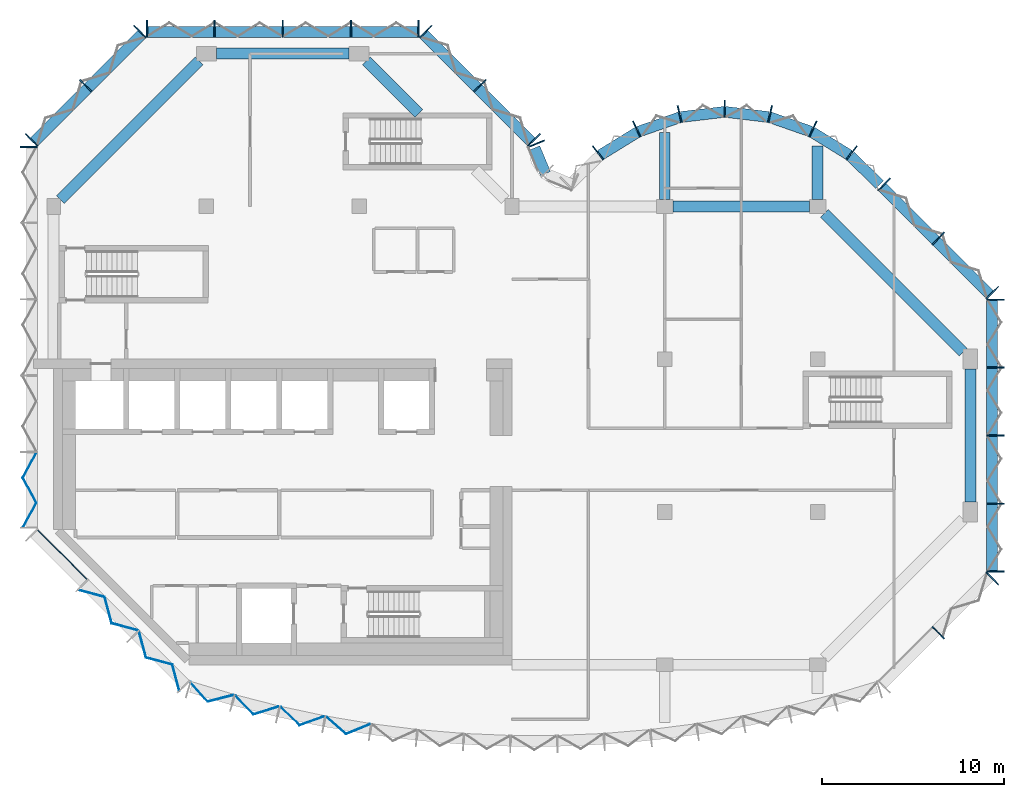
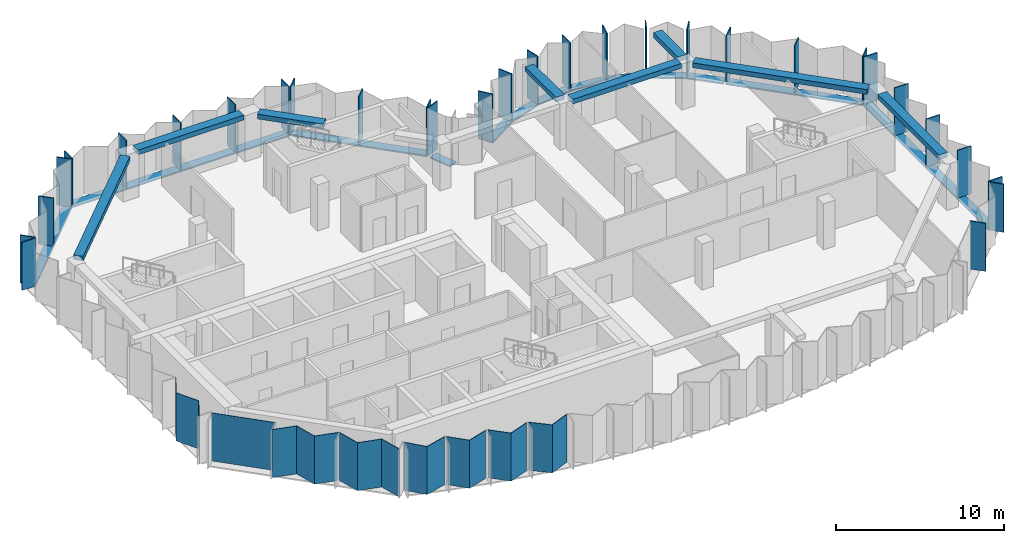
# One storey, part 2 of 9: 43 members, 8 beams, 8 plates, 11 elements without a shape of their own.
"""IFC4 building model written with IfcOpenShell, lengths in metres."""

from ifc_helpers import new_model, si_unit, direction, frame, origin, origin_2d, place, context, subcontext, project, spatial, polyline, rectangle, outline, extrude, material, layer, layer_set, material_profile, profile_set, type_object, element, aggregate, save


model = new_model("IFC4")

# Units and contexts
model_context = context("Model", 3, precision=1e-05, world=origin(), true_north=direction((0.0, 1.0)))
body_context = subcontext(model_context, "Body", "Model", "MODEL_VIEW")
ifc_project = project(units=[si_unit("LENGTHUNIT", "METRE"), si_unit("AREAUNIT", "SQUARE_METRE"), si_unit("VOLUMEUNIT", "CUBIC_METRE"), si_unit("PLANEANGLEUNIT", "RADIAN"), si_unit("MASSUNIT", "GRAM", prefix="KILO")], contexts=[model_context])

# Site, building, storey
site_placement = place(None, origin())
site = spatial("IfcSite", under=ifc_project, at=site_placement, CompositionType="ELEMENT")
building_placement = place(site_placement, origin())
building = spatial("IfcBuilding", under=site, at=building_placement, Name="Brevane Broadcast Tower", CompositionType="ELEMENT")
storey_placement = place(building_placement, frame((0.0, 0.0, 248.10009765625)))
storey = spatial("IfcBuildingStorey", under=building, at=storey_placement, Name="L63", CompositionType="ELEMENT", Elevation=248.10009765625)

# Curtain wall, members
ifc_material_1 = material(Name="Aluminium 6063-T6 bronze anodised", Category="aluminium")
curtain_wall_type = type_object("IfcCurtainWallType", Name="CW-1 curtain wall", PredefinedType="NOTDEFINED", material=ifc_material_1)
curtain_wall_1_placement = place(storey_placement, origin())
curtain_wall_1 = element("IfcCurtainWall", 1, at=curtain_wall_1_placement, inside=storey, type_object=curtain_wall_type, Name="CW-1 typical tilted unit L63 south-east chamfer", PredefinedType="NOTDEFINED")
ifc_material_profile_1 = material_profile(ifc_material_1, rectangle(XDim=0.949951171875, YDim=0.070068359375, at=origin_2d()), Name="RECT 70x950")
ifc_profile_set_1 = profile_set([ifc_material_profile_1], Name="Aluminium 6063-T6 bronze anodised")
member_type_1 = type_object("IfcMemberType", Name="CW-1 mullion 70x950", PredefinedType="MULLION", material=ifc_profile_set_1)
member_1_placement = place(storey_placement, frame((48.635986328125, 1.76416015625, -0.150146484375), z_axis=(0.0, 0.0, 1.0), x_axis=(-0.707106781187, 0.707106781187, 0.0)))
member_1 = element("IfcMember", 2, at=member_1_placement, type_object=member_type_1, Name="CW-1 mullion", PredefinedType="MULLION", context=body_context, shape_type="SweptSolid", body=[
    extrude(rectangle(XDim=0.949951171875, YDim=0.070068359375, at=origin_2d()), origin(), (0.0, 0.0, 1.0), 3.5),
])
member_2_placement = place(storey_placement, frame((51.611083984375, 4.7392578125, -0.150146484375), z_axis=(0.0, 0.0, 1.0), x_axis=(-0.707106781187, 0.707106781187, 0.0)))
member_2 = element("IfcMember", 3, at=member_2_placement, type_object=member_type_1, Name="CW-1 mullion", PredefinedType="MULLION", context=body_context, shape_type="SweptSolid", body=[
    extrude(rectangle(XDim=0.949951171875, YDim=0.070068359375, at=origin_2d()), origin(), (0.0, 0.0, 1.0), 3.5),
])
aggregate(curtain_wall_1, [member_1, member_2])

curtain_wall_2_placement = place(storey_placement, origin())
curtain_wall_2 = element("IfcCurtainWall", 4, at=curtain_wall_2_placement, inside=storey, type_object=curtain_wall_type, Name="CW-1 typical tilted unit L63 east end", PredefinedType="NOTDEFINED")
member_3_placement = place(storey_placement, frame((51.77490234375, 5.135009765625, -0.150146484375), z_axis=(0.0, 0.0, 1.0), x_axis=(-1.0, 0.0, 0.0)))
member_3 = element("IfcMember", 5, at=member_3_placement, type_object=member_type_1, Name="CW-1 mullion", PredefinedType="MULLION", context=body_context, shape_type="SweptSolid", body=[
    extrude(rectangle(XDim=0.949951171875, YDim=0.070068359375, at=origin_2d()), origin(), (0.0, 0.0, 1.0), 3.5),
])
member_4_placement = place(storey_placement, frame((51.77490234375, 8.85009765625, -0.150146484375), z_axis=(0.0, 0.0, 1.0), x_axis=(-1.0, 0.0, 0.0)))
member_4 = element("IfcMember", 6, at=member_4_placement, type_object=member_type_1, Name="CW-1 mullion", PredefinedType="MULLION", context=body_context, shape_type="SweptSolid", body=[
    extrude(rectangle(XDim=0.949951171875, YDim=0.070068359375, at=origin_2d()), origin(), (0.0, 0.0, 1.0), 3.5),
])
member_5_placement = place(storey_placement, frame((51.77490234375, 12.60009765625, -0.150146484375), z_axis=(0.0, 0.0, 1.0), x_axis=(-1.0, 0.0, 0.0)))
member_5 = element("IfcMember", 7, at=member_5_placement, type_object=member_type_1, Name="CW-1 mullion", PredefinedType="MULLION", context=body_context, shape_type="SweptSolid", body=[
    extrude(rectangle(XDim=0.949951171875, YDim=0.070068359375, at=origin_2d()), origin(), (0.0, 0.0, 1.0), 3.5),
])
member_6_placement = place(storey_placement, frame((51.77490234375, 16.35009765625, -0.150146484375), z_axis=(0.0, 0.0, 1.0), x_axis=(-1.0, 0.0, 0.0)))
member_6 = element("IfcMember", 8, at=member_6_placement, type_object=member_type_1, Name="CW-1 mullion", PredefinedType="MULLION", context=body_context, shape_type="SweptSolid", body=[
    extrude(rectangle(XDim=0.949951171875, YDim=0.070068359375, at=origin_2d()), origin(), (0.0, 0.0, 1.0), 3.5),
])
member_7_placement = place(storey_placement, frame((51.77490234375, 20.06494140625, -0.150146484375), z_axis=(0.0, 0.0, 1.0), x_axis=(-1.0, 0.0, 0.0)))
member_7 = element("IfcMember", 9, at=member_7_placement, type_object=member_type_1, Name="CW-1 mullion", PredefinedType="MULLION", context=body_context, shape_type="SweptSolid", body=[
    extrude(rectangle(XDim=0.949951171875, YDim=0.070068359375, at=origin_2d()), origin(), (0.0, 0.0, 1.0), 3.5),
])

curtain_wall_3_placement = place(storey_placement, origin())
curtain_wall_3 = element("IfcCurtainWall", 10, at=curtain_wall_3_placement, inside=storey, type_object=curtain_wall_type, Name="CW-1 typical tilted unit L63 north-east chamfer", PredefinedType="NOTDEFINED")
member_8_placement = place(storey_placement, frame((51.611083984375, 20.460693359375, -0.150146484375), z_axis=(0.0, 0.0, 1.0), x_axis=(-0.707106781187, -0.707106781187, 0.0)))
member_8 = element("IfcMember", 11, at=member_8_placement, type_object=member_type_1, Name="CW-1 mullion", PredefinedType="MULLION", context=body_context, shape_type="SweptSolid", body=[
    extrude(rectangle(XDim=0.949951171875, YDim=0.070068359375, at=origin_2d()), origin(), (0.0, 0.0, 1.0), 3.5),
])
member_9_placement = place(storey_placement, frame((48.635986328125, 23.435791015625, -0.150146484375), z_axis=(0.0, 0.0, 1.0), x_axis=(-0.707106781187, -0.707106781187, 0.0)))
member_9 = element("IfcMember", 12, at=member_9_placement, type_object=member_type_1, Name="CW-1 mullion", PredefinedType="MULLION", context=body_context, shape_type="SweptSolid", body=[
    extrude(rectangle(XDim=0.949951171875, YDim=0.070068359375, at=origin_2d()), origin(), (0.0, 0.0, 1.0), 3.5),
])
member_10_placement = place(storey_placement, frame((45.66064453125, 26.4111328125, -0.150146484375), z_axis=(0.0, 0.0, 1.0), x_axis=(-0.707106781187, -0.707106781187, 0.0)))
member_10 = element("IfcMember", 13, at=member_10_placement, type_object=member_type_1, Name="CW-1 mullion", PredefinedType="MULLION", context=body_context, shape_type="SweptSolid", body=[
    extrude(rectangle(XDim=0.949951171875, YDim=0.070068359375, at=origin_2d()), origin(), (0.0, 0.0, 1.0), 3.5),
])

curtain_wall_4_placement = place(storey_placement, origin())
curtain_wall_4 = element("IfcCurtainWall", 14, at=curtain_wall_4_placement, inside=storey, type_object=curtain_wall_type, Name="CW-1 typical tilted unit L63 east bow", PredefinedType="NOTDEFINED")
member_11_placement = place(storey_placement, frame((43.8720703125, 28.1455078125, -0.150146484375), z_axis=(0.0, 0.0, 1.0), x_axis=(-0.614769698862, -0.788706673841, 0.0)))
member_11 = element("IfcMember", 15, at=member_11_placement, type_object=member_type_1, Name="CW-1 mullion", PredefinedType="MULLION", context=body_context, shape_type="SweptSolid", body=[
    extrude(rectangle(XDim=0.949951171875, YDim=0.070068359375, at=origin_2d()), origin(), (0.0, 0.0, 1.0), 3.5),
])
member_12_placement = place(storey_placement, frame((41.746826171875, 29.4580078125, -0.150146484375), z_axis=(0.0, 0.0, 1.0), x_axis=(-0.429933580394, -0.902860518823, 0.0)))
member_12 = element("IfcMember", 16, at=member_12_placement, type_object=member_type_1, Name="CW-1 mullion", PredefinedType="MULLION", context=body_context, shape_type="SweptSolid", body=[
    extrude(rectangle(XDim=0.949951171875, YDim=0.070068359375, at=origin_2d()), origin(), (0.0, 0.0, 1.0), 3.5),
])
member_13_placement = place(storey_placement, frame((39.38818359375, 30.28076171875, -0.150146484375), z_axis=(0.0, 0.0, 1.0), x_axis=(-0.224806535479, -0.974403418306, 0.0)))
member_13 = element("IfcMember", 17, at=member_13_placement, type_object=member_type_1, Name="CW-1 mullion", PredefinedType="MULLION", context=body_context, shape_type="SweptSolid", body=[
    extrude(rectangle(XDim=0.949951171875, YDim=0.070068359375, at=origin_2d()), origin(), (0.0, 0.0, 1.0), 3.5),
])
member_14_placement = place(storey_placement, frame((36.89990234375, 30.574951171875, -0.150146484375), z_axis=(0.0, 0.0, 1.0), x_axis=(0.0, -1.0, 0.0)))
member_14 = element("IfcMember", 18, at=member_14_placement, type_object=member_type_1, Name="CW-1 mullion", PredefinedType="MULLION", context=body_context, shape_type="SweptSolid", body=[
    extrude(rectangle(XDim=0.949951171875, YDim=0.070068359375, at=origin_2d()), origin(), (0.0, 0.0, 1.0), 3.5),
])
member_15_placement = place(storey_placement, frame((34.411865234375, 30.28076171875, -0.150146484375), z_axis=(0.0, 0.0, 1.0), x_axis=(0.224806535479, -0.974403418306, 0.0)))
member_15 = element("IfcMember", 19, at=member_15_placement, type_object=member_type_1, Name="CW-1 mullion", PredefinedType="MULLION", context=body_context, shape_type="SweptSolid", body=[
    extrude(rectangle(XDim=0.949951171875, YDim=0.070068359375, at=origin_2d()), origin(), (0.0, 0.0, 1.0), 3.5),
])
member_16_placement = place(storey_placement, frame((32.05322265625, 29.4580078125, -0.150146484375), z_axis=(0.0, 0.0, 1.0), x_axis=(0.429933580394, -0.902860518823, 0.0)))
member_16 = element("IfcMember", 20, at=member_16_placement, type_object=member_type_1, Name="CW-1 mullion", PredefinedType="MULLION", context=body_context, shape_type="SweptSolid", body=[
    extrude(rectangle(XDim=0.949951171875, YDim=0.070068359375, at=origin_2d()), origin(), (0.0, 0.0, 1.0), 3.5),
])
member_17_placement = place(storey_placement, frame((29.927978515625, 28.1455078125, -0.150146484375), z_axis=(0.0, 0.0, 1.0), x_axis=(0.614769698862, -0.788706673841, 0.0)))
member_17 = element("IfcMember", 21, at=member_17_placement, type_object=member_type_1, Name="CW-1 mullion", PredefinedType="MULLION", context=body_context, shape_type="SweptSolid", body=[
    extrude(rectangle(XDim=0.949951171875, YDim=0.070068359375, at=origin_2d()), origin(), (0.0, 0.0, 1.0), 3.5),
])

# Curtain wall, member
curtain_wall_5_placement = place(storey_placement, origin())
curtain_wall_5 = element("IfcCurtainWall", 22, at=curtain_wall_5_placement, inside=storey, type_object=curtain_wall_type, Name="CW-1 typical tilted unit L63 inner corner", PredefinedType="NOTDEFINED")
member_18_placement = place(storey_placement, frame((26.55224609375, 28.6494140625, -0.150146484375), z_axis=(0.0, 0.0, 1.0), x_axis=(-0.923879532511, -0.382683432365, 0.0)))
member_18 = element("IfcMember", 23, at=member_18_placement, type_object=member_type_1, Name="CW-1 mullion", PredefinedType="MULLION", context=body_context, shape_type="SweptSolid", body=[
    extrude(rectangle(XDim=0.949951171875, YDim=0.070068359375, at=origin_2d()), origin(), (0.0, 0.0, 1.0), 3.5),
])

# Curtain wall, members
curtain_wall_6_placement = place(storey_placement, origin())
curtain_wall_6 = element("IfcCurtainWall", 24, at=curtain_wall_6_placement, inside=storey, type_object=curtain_wall_type, Name="CW-1 typical tilted unit L63 north arm north-east chamfer", PredefinedType="NOTDEFINED")
member_19_placement = place(storey_placement, frame((26.4111328125, 28.860595703125, -0.150146484375), z_axis=(0.0, 0.0, 1.0), x_axis=(-0.707106781187, -0.707106781187, 0.0)))
member_19 = element("IfcMember", 25, at=member_19_placement, type_object=member_type_1, Name="CW-1 mullion", PredefinedType="MULLION", context=body_context, shape_type="SweptSolid", body=[
    extrude(rectangle(XDim=0.949951171875, YDim=0.070068359375, at=origin_2d()), origin(), (0.0, 0.0, 1.0), 3.5),
])
member_20_placement = place(storey_placement, frame((23.435791015625, 31.8359375, -0.150146484375), z_axis=(0.0, 0.0, 1.0), x_axis=(-0.707106781187, -0.707106781187, 0.0)))
member_20 = element("IfcMember", 26, at=member_20_placement, type_object=member_type_1, Name="CW-1 mullion", PredefinedType="MULLION", context=body_context, shape_type="SweptSolid", body=[
    extrude(rectangle(XDim=0.949951171875, YDim=0.070068359375, at=origin_2d()), origin(), (0.0, 0.0, 1.0), 3.5),
])
member_21_placement = place(storey_placement, frame((20.460693359375, 34.81103515625, -0.150146484375), z_axis=(0.0, 0.0, 1.0), x_axis=(-0.707106781187, -0.707106781187, 0.0)))
member_21 = element("IfcMember", 27, at=member_21_placement, type_object=member_type_1, Name="CW-1 mullion", PredefinedType="MULLION", context=body_context, shape_type="SweptSolid", body=[
    extrude(rectangle(XDim=0.949951171875, YDim=0.070068359375, at=origin_2d()), origin(), (0.0, 0.0, 1.0), 3.5),
])

curtain_wall_7_placement = place(storey_placement, origin())
curtain_wall_7 = element("IfcCurtainWall", 28, at=curtain_wall_7_placement, inside=storey, type_object=curtain_wall_type, Name="CW-1 typical tilted unit L63 north end", PredefinedType="NOTDEFINED")
member_22_placement = place(storey_placement, frame((20.06494140625, 34.97509765625, -0.150146484375), z_axis=(0.0, 0.0, 1.0), x_axis=(0.0, -1.0, 0.0)))
member_22 = element("IfcMember", 29, at=member_22_placement, type_object=member_type_1, Name="CW-1 mullion", PredefinedType="MULLION", context=body_context, shape_type="SweptSolid", body=[
    extrude(rectangle(XDim=0.949951171875, YDim=0.070068359375, at=origin_2d()), origin(), (0.0, 0.0, 1.0), 3.5),
])
member_23_placement = place(storey_placement, frame((16.35009765625, 34.97509765625, -0.150146484375), z_axis=(0.0, 0.0, 1.0), x_axis=(0.0, -1.0, 0.0)))
member_23 = element("IfcMember", 30, at=member_23_placement, type_object=member_type_1, Name="CW-1 mullion", PredefinedType="MULLION", context=body_context, shape_type="SweptSolid", body=[
    extrude(rectangle(XDim=0.949951171875, YDim=0.070068359375, at=origin_2d()), origin(), (0.0, 0.0, 1.0), 3.5),
])
member_24_placement = place(storey_placement, frame((12.60009765625, 34.97509765625, -0.150146484375), z_axis=(0.0, 0.0, 1.0), x_axis=(0.0, -1.0, 0.0)))
member_24 = element("IfcMember", 31, at=member_24_placement, type_object=member_type_1, Name="CW-1 mullion", PredefinedType="MULLION", context=body_context, shape_type="SweptSolid", body=[
    extrude(rectangle(XDim=0.949951171875, YDim=0.070068359375, at=origin_2d()), origin(), (0.0, 0.0, 1.0), 3.5),
])
member_25_placement = place(storey_placement, frame((8.85009765625, 34.97509765625, -0.150146484375), z_axis=(0.0, 0.0, 1.0), x_axis=(0.0, -1.0, 0.0)))
member_25 = element("IfcMember", 32, at=member_25_placement, type_object=member_type_1, Name="CW-1 mullion", PredefinedType="MULLION", context=body_context, shape_type="SweptSolid", body=[
    extrude(rectangle(XDim=0.949951171875, YDim=0.070068359375, at=origin_2d()), origin(), (0.0, 0.0, 1.0), 3.5),
])
member_26_placement = place(storey_placement, frame((5.135009765625, 34.97509765625, -0.150146484375), z_axis=(0.0, 0.0, 1.0), x_axis=(0.0, -1.0, 0.0)))
member_26 = element("IfcMember", 33, at=member_26_placement, type_object=member_type_1, Name="CW-1 mullion", PredefinedType="MULLION", context=body_context, shape_type="SweptSolid", body=[
    extrude(rectangle(XDim=0.949951171875, YDim=0.070068359375, at=origin_2d()), origin(), (0.0, 0.0, 1.0), 3.5),
])

curtain_wall_8_placement = place(storey_placement, origin())
curtain_wall_8 = element("IfcCurtainWall", 34, at=curtain_wall_8_placement, inside=storey, type_object=curtain_wall_type, Name="CW-1 typical tilted unit L63 north-west chamfer", PredefinedType="NOTDEFINED")
member_27_placement = place(storey_placement, frame((4.7392578125, 34.81103515625, -0.150146484375), z_axis=(0.0, 0.0, 1.0), x_axis=(0.707106781187, -0.707106781187, 0.0)))
member_27 = element("IfcMember", 35, at=member_27_placement, type_object=member_type_1, Name="CW-1 mullion", PredefinedType="MULLION", context=body_context, shape_type="SweptSolid", body=[
    extrude(rectangle(XDim=0.949951171875, YDim=0.070068359375, at=origin_2d()), origin(), (0.0, 0.0, 1.0), 3.5),
])
member_28_placement = place(storey_placement, frame((1.76416015625, 31.8359375, -0.150146484375), z_axis=(0.0, 0.0, 1.0), x_axis=(0.707106781187, -0.707106781187, 0.0)))
member_28 = element("IfcMember", 36, at=member_28_placement, type_object=member_type_1, Name="CW-1 mullion", PredefinedType="MULLION", context=body_context, shape_type="SweptSolid", body=[
    extrude(rectangle(XDim=0.949951171875, YDim=0.070068359375, at=origin_2d()), origin(), (0.0, 0.0, 1.0), 3.5),
])
member_29_placement = place(storey_placement, frame((-1.211181640625, 28.860595703125, -0.150146484375), z_axis=(0.0, 0.0, 1.0), x_axis=(0.707106781187, -0.707106781187, 0.0)))
member_29 = element("IfcMember", 37, at=member_29_placement, type_object=member_type_1, Name="CW-1 mullion", PredefinedType="MULLION", context=body_context, shape_type="SweptSolid", body=[
    extrude(rectangle(XDim=0.949951171875, YDim=0.070068359375, at=origin_2d()), origin(), (0.0, 0.0, 1.0), 3.5),
])

# Curtain wall, member
curtain_wall_9_placement = place(storey_placement, origin())
curtain_wall_9 = element("IfcCurtainWall", 38, at=curtain_wall_9_placement, inside=storey, type_object=curtain_wall_type, Name="CW-1 typical tilted unit L63 west face", PredefinedType="NOTDEFINED")
member_30_placement = place(storey_placement, frame((-1.375, 28.465087890625, -0.150146484375), z_axis=(0.0, 0.0, 1.0), x_axis=(1.0, 0.0, 0.0)))
member_30 = element("IfcMember", 39, at=member_30_placement, type_object=member_type_1, Name="CW-1 mullion", PredefinedType="MULLION", context=body_context, shape_type="SweptSolid", body=[
    extrude(rectangle(XDim=0.949951171875, YDim=0.070068359375, at=origin_2d()), origin(), (0.0, 0.0, 1.0), 3.5),
])

# Member
ifc_material_profile_2 = material_profile(ifc_material_1, rectangle(XDim=0.60009765625, YDim=0.10009765625, at=origin_2d()), Name="RECT 100x600")
ifc_profile_set_2 = profile_set([ifc_material_profile_2], Name="Aluminium 6063-T6 bronze anodised")
member_type_2 = type_object("IfcMemberType", Name="CW-1 transom 100x600", PredefinedType="USERDEFINED", material=ifc_profile_set_2)
member_31_placement = place(storey_placement, frame((51.60009765625, 5.10009765625, -0.2001953125), z_axis=(0.0, 1.0, 0.0), x_axis=(-1.0, 0.0, 0.0)))
member_31 = element("IfcMember", 40, at=member_31_placement, type_object=member_type_2, Name="CW-1 transom", ObjectType="TRANSOM", PredefinedType="USERDEFINED", context=body_context, shape_type="SweptSolid", body=[
    extrude(rectangle(XDim=0.60009765625, YDim=0.10009765625, at=origin_2d()), origin(), (0.0, 0.0, 1.0), 15.0),
])

aggregate(curtain_wall_2, [member_3, member_4, member_5, member_6, member_7, member_31])

member_32_placement = place(storey_placement, frame((51.51220703125, 20.31201171875, -0.2001953125), z_axis=(-0.707106781187, 0.707106781187, 0.0), x_axis=(-0.707106781187, -0.707106781187, 0.0)))
member_32 = element("IfcMember", 41, at=member_32_placement, type_object=member_type_2, Name="CW-1 transom", ObjectType="TRANSOM", PredefinedType="USERDEFINED", context=body_context, shape_type="SweptSolid", body=[
    extrude(rectangle(XDim=0.60009765625, YDim=0.10009765625, at=origin_2d()), origin(), (0.0, 0.0, 1.0), 8.4853515625),
])

aggregate(curtain_wall_3, [member_8, member_9, member_10, member_32])

member_33_placement = place(storey_placement, frame((45.412841796875, 26.407958984375, -0.2001953125), z_axis=(-0.71724215871, 0.696823999134, 0.0), x_axis=(-0.696823999134, -0.71724215871, 0.0)))
member_33 = element("IfcMember", 42, at=member_33_placement, type_object=member_type_2, Name="CW-1 transom", ObjectType="TRANSOM", PredefinedType="USERDEFINED", context=body_context, shape_type="SweptSolid", body=[
    extrude(rectangle(XDim=0.60009765625, YDim=0.10009765625, at=origin_2d()), origin(), (0.0, 0.0, 1.0), 2.247802734375),
])

member_34_placement = place(storey_placement, frame((43.7421875, 28.023193359375, -0.2001953125), z_axis=(-0.850810063131, 0.525473345162, 0.0), x_axis=(-0.525473345162, -0.850810063131, 0.0)))
member_34 = element("IfcMember", 43, at=member_34_placement, type_object=member_type_2, Name="CW-1 transom", ObjectType="TRANSOM", PredefinedType="USERDEFINED", context=body_context, shape_type="SweptSolid", body=[
    extrude(rectangle(XDim=0.60009765625, YDim=0.10009765625, at=origin_2d()), origin(), (0.0, 0.0, 1.0), 2.39453125),
])

member_35_placement = place(storey_placement, frame((41.63623046875, 29.314208984375, -0.2001953125), z_axis=(-0.944197969542, 0.329378497041, 0.0), x_axis=(-0.329378497041, -0.944197969542, 0.0)))
member_35 = element("IfcMember", 44, at=member_35_placement, type_object=member_type_2, Name="CW-1 transom", ObjectType="TRANSOM", PredefinedType="USERDEFINED", context=body_context, shape_type="SweptSolid", body=[
    extrude(rectangle(XDim=0.60009765625, YDim=0.10009765625, at=origin_2d()), origin(), (0.0, 0.0, 1.0), 2.394775390625),
])

member_36_placement = place(storey_placement, frame((39.30029296875, 30.117431640625, -0.2001953125), z_axis=(-0.993062061831, 0.117591417, 0.0), x_axis=(-0.117591417, -0.993062061831, 0.0)))
member_36 = element("IfcMember", 45, at=member_36_placement, type_object=member_type_2, Name="CW-1 transom", ObjectType="TRANSOM", PredefinedType="USERDEFINED", context=body_context, shape_type="SweptSolid", body=[
    extrude(rectangle(XDim=0.60009765625, YDim=0.10009765625, at=origin_2d()), origin(), (0.0, 0.0, 1.0), 2.39794921875),
])

member_37_placement = place(storey_placement, frame((36.880859375, 30.3994140625, -0.2001953125), z_axis=(-0.993060653805, -0.117603307202, 0.0), x_axis=(0.117603307202, -0.993060653805, 0.0)))
member_37 = element("IfcMember", 46, at=member_37_placement, type_object=member_type_2, Name="CW-1 transom", ObjectType="TRANSOM", PredefinedType="USERDEFINED", context=body_context, shape_type="SweptSolid", body=[
    extrude(rectangle(XDim=0.60009765625, YDim=0.10009765625, at=origin_2d()), origin(), (0.0, 0.0, 1.0), 2.397705078125),
])

member_38_placement = place(storey_placement, frame((34.425048828125, 30.10302734375, -0.2001953125), z_axis=(-0.944197969542, -0.329378497041, 0.0), x_axis=(0.329378497041, -0.944197969542, 0.0)))
member_38 = element("IfcMember", 47, at=member_38_placement, type_object=member_type_2, Name="CW-1 transom", ObjectType="TRANSOM", PredefinedType="USERDEFINED", context=body_context, shape_type="SweptSolid", body=[
    extrude(rectangle(XDim=0.60009765625, YDim=0.10009765625, at=origin_2d()), origin(), (0.0, 0.0, 1.0), 2.394775390625),
])

member_39_placement = place(storey_placement, frame((32.09521484375, 29.281494140625, -0.2001953125), z_axis=(-0.850838211365, -0.525427766759, 0.0), x_axis=(0.525427766759, -0.850838211365, 0.0)))
member_39 = element("IfcMember", 48, at=member_39_placement, type_object=member_type_2, Name="CW-1 transom", ObjectType="TRANSOM", PredefinedType="USERDEFINED", context=body_context, shape_type="SweptSolid", body=[
    extrude(rectangle(XDim=0.60009765625, YDim=0.10009765625, at=origin_2d()), origin(), (0.0, 0.0, 1.0), 2.394775390625),
])

aggregate(curtain_wall_4, [member_11, member_12, member_13, member_14, member_15, member_16, member_17, member_33, member_34, member_35, member_36, member_37, member_38, member_39])

member_40_placement = place(storey_placement, frame((27.039794921875, 27.0, -0.2001953125), z_axis=(-0.382674472816, 0.923883243627, 0.0), x_axis=(-0.923883243627, -0.382674472816, 0.0)))
member_40 = element("IfcMember", 49, at=member_40_placement, type_object=member_type_2, Name="CW-1 transom", ObjectType="TRANSOM", PredefinedType="USERDEFINED", context=body_context, shape_type="SweptSolid", body=[
    extrude(rectangle(XDim=0.60009765625, YDim=0.10009765625, at=origin_2d()), origin(), (0.0, 0.0, 1.0), 1.536865234375),
])

aggregate(curtain_wall_5, [member_18, member_40])

member_41_placement = place(storey_placement, frame((26.31201171875, 28.712158203125, -0.2001953125), z_axis=(-0.707106781187, 0.707106781187, 0.0), x_axis=(-0.707106781187, -0.707106781187, 0.0)))
member_41 = element("IfcMember", 50, at=member_41_placement, type_object=member_type_2, Name="CW-1 transom", ObjectType="TRANSOM", PredefinedType="USERDEFINED", context=body_context, shape_type="SweptSolid", body=[
    extrude(rectangle(XDim=0.60009765625, YDim=0.10009765625, at=origin_2d()), origin(), (0.0, 0.0, 1.0), 8.4853515625),
])

aggregate(curtain_wall_6, [member_19, member_20, member_21, member_41])

member_42_placement = place(storey_placement, frame((20.10009765625, 34.800048828125, -0.2001953125), z_axis=(-1.0, 0.0, 0.0), x_axis=(0.0, -1.0, 0.0)))
member_42 = element("IfcMember", 51, at=member_42_placement, type_object=member_type_2, Name="CW-1 transom", ObjectType="TRANSOM", PredefinedType="USERDEFINED", context=body_context, shape_type="SweptSolid", body=[
    extrude(rectangle(XDim=0.60009765625, YDim=0.10009765625, at=origin_2d()), origin(), (0.0, 0.0, 1.0), 15.0),
])

aggregate(curtain_wall_7, [member_22, member_23, member_24, member_25, member_26, member_42])

member_43_placement = place(storey_placement, frame((4.887939453125, 34.712158203125, -0.2001953125), z_axis=(-0.707106781187, -0.707106781187, 0.0), x_axis=(0.707106781187, -0.707106781187, 0.0)))
member_43 = element("IfcMember", 52, at=member_43_placement, type_object=member_type_2, Name="CW-1 transom", ObjectType="TRANSOM", PredefinedType="USERDEFINED", context=body_context, shape_type="SweptSolid", body=[
    extrude(rectangle(XDim=0.60009765625, YDim=0.10009765625, at=origin_2d()), origin(), (0.0, 0.0, 1.0), 8.4853515625),
])

aggregate(curtain_wall_8, [member_27, member_28, member_29, member_43])

# Beams
ifc_material_2 = material(Name="Concrete C40/50", Category="concrete")
ifc_material_profile_3 = material_profile(ifc_material_2, rectangle(XDim=0.60009765625, YDim=0.35009765625, at=origin_2d()), Name="RC 600x350")
ifc_profile_set_3 = profile_set([ifc_material_profile_3], Name="Concrete C40/50")
beam_type_1 = type_object("IfcBeamType", Name="RC BRACKET BEAM 600x350 C40/50", PredefinedType="BEAM", material=ifc_profile_set_3)
beam_1_placement = place(storey_placement, frame((33.60009765625, 25.574951171875, 3.1748046875), z_axis=(0.0, 1.0, 0.0), x_axis=(-1.0, 0.0, 0.0)))
element("IfcBeam", 53, at=beam_1_placement, inside=storey, type_object=beam_type_1, Name="EB2 L63-2", PredefinedType="BEAM", context=body_context, shape_type="SweptSolid", body=[
    extrude(rectangle(XDim=0.60009765625, YDim=0.35009765625, at=origin_2d()), origin(), (0.0, 0.0, 1.0), 3.68701171875),
])
beam_2_placement = place(storey_placement, frame((42.0, 25.574951171875, 3.1748046875), z_axis=(0.0, 1.0, 0.0), x_axis=(-1.0, 0.0, 0.0)))
element("IfcBeam", 54, at=beam_2_placement, inside=storey, type_object=beam_type_1, Name="EB2 L63-4", PredefinedType="BEAM", context=body_context, shape_type="SweptSolid", body=[
    extrude(rectangle(XDim=0.60009765625, YDim=0.35009765625, at=origin_2d()), origin(), (0.0, 0.0, 1.0), 2.9365234375),
])
ifc_material_profile_4 = material_profile(ifc_material_2, rectangle(XDim=0.60009765625, YDim=0.35009765625, at=origin_2d()), Name="RC 600x350")
ifc_profile_set_4 = profile_set([ifc_material_profile_4], Name="Concrete C40/50")
beam_type_2 = type_object("IfcBeamType", Name="RC SPANDREL BEAM 600x350 C40/50", PredefinedType="SPANDREL", material=ifc_profile_set_4)
beam_3_placement = place(storey_placement, frame((50.39990234375, 8.949951171875, 3.1748046875), z_axis=(0.0, 1.0, 0.0), x_axis=(-1.0, 0.0, 0.0)))
element("IfcBeam", 55, at=beam_3_placement, inside=storey, type_object=beam_type_2, Name="EB1 L63-4", PredefinedType="SPANDREL", context=body_context, shape_type="SweptSolid", body=[
    extrude(rectangle(XDim=0.60009765625, YDim=0.35009765625, at=origin_2d()), origin(), (0.0, 0.0, 1.0), 7.300048828125),
])
beam_4_placement = place(storey_placement, frame((50.0, 17.199951171875, 3.1748046875), z_axis=(-0.707106781187, 0.707106781187, 0.0), x_axis=(-0.707106781187, -0.707106781187, 0.0)))
element("IfcBeam", 56, at=beam_4_placement, inside=storey, type_object=beam_type_2, Name="EB1 L63-5", PredefinedType="SPANDREL", context=body_context, shape_type="SweptSolid", body=[
    extrude(rectangle(XDim=0.60009765625, YDim=0.35009765625, at=origin_2d()), origin(), (0.0, 0.0, 1.0), 10.783447265625),
])
beam_5_placement = place(storey_placement, frame((41.550048828125, 25.199951171875, 3.1748046875), z_axis=(-1.0, 0.0, 0.0), x_axis=(0.0, -1.0, 0.0)))
element("IfcBeam", 57, at=beam_5_placement, inside=storey, type_object=beam_type_2, Name="EB1 L63-6", PredefinedType="SPANDREL", context=body_context, shape_type="SweptSolid", body=[
    extrude(rectangle(XDim=0.60009765625, YDim=0.35009765625, at=origin_2d()), origin(), (0.0, 0.0, 1.0), 7.5),
])
beam_6_placement = place(storey_placement, frame((20.080078125, 30.320068359375, 3.1748046875), z_axis=(-0.707136751593, 0.70707680951, 0.0), x_axis=(-0.70707680951, -0.707136751593, 0.0)))
element("IfcBeam", 58, at=beam_6_placement, inside=storey, type_object=beam_type_2, Name="EB1 L63-12", PredefinedType="SPANDREL", context=body_context, shape_type="SweptSolid", body=[
    extrude(rectangle(XDim=0.60009765625, YDim=0.35009765625, at=origin_2d()), origin(), (0.0, 0.0, 1.0), 4.072998046875),
])
beam_7_placement = place(storey_placement, frame((16.25, 33.60009765625, 3.1748046875), z_axis=(-1.0, 0.0, 0.0), x_axis=(0.0, -1.0, 0.0)))
element("IfcBeam", 59, at=beam_7_placement, inside=storey, type_object=beam_type_2, Name="EB1 L63-9", PredefinedType="SPANDREL", context=body_context, shape_type="SweptSolid", body=[
    extrude(rectangle(XDim=0.60009765625, YDim=0.35009765625, at=origin_2d()), origin(), (0.0, 0.0, 1.0), 7.300048828125),
])
beam_8_placement = place(storey_placement, frame((8.0, 33.199951171875, 3.1748046875), z_axis=(-0.707106781187, -0.707106781187, 0.0), x_axis=(0.707106781187, -0.707106781187, 0.0)))
element("IfcBeam", 60, at=beam_8_placement, inside=storey, type_object=beam_type_2, Name="EB1 L63-10", PredefinedType="SPANDREL", context=body_context, shape_type="SweptSolid", body=[
    extrude(rectangle(XDim=0.60009765625, YDim=0.35009765625, at=origin_2d()), origin(), (0.0, 0.0, 1.0), 10.783447265625),
])

# Curtain wall, plates
curtain_wall_10_placement = place(storey_placement, origin())
curtain_wall_10 = element("IfcCurtainWall", 61, at=curtain_wall_10_placement, inside=storey, type_object=curtain_wall_type, Name="CW-1 typical tilted unit L63 south bow", PredefinedType="NOTDEFINED")
ifc_material_3 = material(Name="Laminated glass bronze-tinted", Category="glass")
ifc_layer = layer(ifc_material_3, 0.0400390625)
ifc_layer_set = layer_set([ifc_layer], Name="CW tall glass panel 40")
plate_type = type_object("IfcPlateType", Name="CW tall glass panel 40", PredefinedType="CURTAIN_PANEL", material=ifc_layer_set)
plate_1_placement = place(storey_placement, frame((0.0, 0.0, -0.150146484375)))
plate_1 = element("IfcPlate", 62, at=plate_1_placement, type_object=plate_type, Name="CW-1 glass panel", PredefinedType="CURTAIN_PANEL", context=body_context, shape_type="SweptSolid", body=[
    extrude(outline(polyline([(7.525634765625, -0.935791015625), (7.51220703125, -0.980712890625), (8.46337890625, -2.044921875), (9.862548828125, -1.6884765625), (9.875, -1.64404296875), (8.47705078125, -2.000244140625), (7.525634765625, -0.935791015625)])), origin(), (0.0, 0.0, 1.0), 3.5),
])
plate_2_placement = place(storey_placement, frame((0.0, 0.0, -0.150146484375)))
plate_2 = element("IfcPlate", 63, at=plate_2_placement, type_object=plate_type, Name="CW-1 glass panel", PredefinedType="CURTAIN_PANEL", context=body_context, shape_type="SweptSolid", body=[
    extrude(outline(polyline([(10.01708984375, -1.68408203125), (10.00439453125, -1.728759765625), (10.984130859375, -2.749755859375), (12.345947265625, -2.32958984375), (12.3564453125, -2.284423828125), (10.99609375, -2.7041015625), (10.01708984375, -1.68408203125)])), origin(), (0.0, 0.0, 1.0), 3.5),
])
plate_3_placement = place(storey_placement, frame((0.0, 0.0, -0.150146484375)))
plate_3 = element("IfcPlate", 64, at=plate_3_placement, type_object=plate_type, Name="CW-1 glass panel", PredefinedType="CURTAIN_PANEL", context=body_context, shape_type="SweptSolid", body=[
    extrude(outline(polyline([(12.5, -2.318603515625), (12.489501953125, -2.36376953125), (13.513427734375, -3.343505859375), (14.85400390625, -2.866455078125), (14.862548828125, -2.82080078125), (13.523193359375, -3.29736328125), (12.5, -2.318603515625)])), origin(), (0.0, 0.0, 1.0), 3.5),
])
plate_4_placement = place(storey_placement, frame((0.0, 0.0, -0.150146484375)))
plate_4 = element("IfcPlate", 65, at=plate_4_placement, type_object=plate_type, Name="CW-1 glass panel", PredefinedType="CURTAIN_PANEL", context=body_context, shape_type="SweptSolid", body=[
    extrude(outline(polyline([(15.007568359375, -2.8486328125), (14.998779296875, -2.894287109375), (16.065185546875, -3.830810546875), (17.382080078125, -3.298095703125), (17.388916015625, -3.252197265625), (16.072998046875, -3.78466796875), (15.007568359375, -2.8486328125)])), origin(), (0.0, 0.0, 1.0), 3.5),
])
aggregate(curtain_wall_10, [plate_1, plate_2, plate_3, plate_4])

# Plate
plate_5_placement = place(storey_placement, frame((0.0, 0.0, -0.150146484375)))
plate_5 = element("IfcPlate", 66, at=plate_5_placement, type_object=plate_type, Name="CW-1 glass panel", PredefinedType="CURTAIN_PANEL", context=body_context, shape_type="SweptSolid", body=[
    extrude(outline(polyline([(-0.92724609375, 11.6650390625), (-0.97265625, 11.6650390625), (-1.717041015625, 10.288330078125), (-0.97265625, 8.91162109375), (-1.717041015625, 7.534912109375), (-1.671630859375, 7.534912109375), (-0.92724609375, 8.91162109375), (-1.671630859375, 10.288330078125), (-0.92724609375, 11.6650390625)])), origin(), (0.0, 0.0, 1.0), 3.5),
])

aggregate(curtain_wall_9, [member_30, plate_5])

# Curtain wall, plates
curtain_wall_11_placement = place(storey_placement, origin())
curtain_wall_11 = element("IfcCurtainWall", 67, at=curtain_wall_11_placement, inside=storey, type_object=curtain_wall_type, Name="CW-1 typical tilted unit L63 south-west chamfer", PredefinedType="NOTDEFINED")
plate_6_placement = place(storey_placement, frame((0.0, 0.0, -0.150146484375)))
plate_6 = element("IfcPlate", 68, at=plate_6_placement, type_object=plate_type, Name="CW-1 glass panel", PredefinedType="CURTAIN_PANEL", context=body_context, shape_type="SweptSolid", body=[
    extrude(outline(polyline([(-0.896484375, 7.4541015625), (1.85400390625, 4.70361328125), (1.82568359375, 4.67529296875), (-0.9248046875, 7.42578125), (-0.896484375, 7.4541015625)])), origin(), (0.0, 0.0, 1.0), 3.5),
])
plate_7_placement = place(storey_placement, frame((0.0, 0.0, -0.150146484375)))
plate_7 = element("IfcPlate", 69, at=plate_7_placement, type_object=plate_type, Name="CW-1 glass panel", PredefinedType="CURTAIN_PANEL", context=body_context, shape_type="SweptSolid", body=[
    extrude(outline(polyline([(1.37939453125, 4.1298828125), (1.3466796875, 4.09716796875), (2.789794921875, 3.706787109375), (3.180419921875, 2.263671875), (4.62353515625, 1.873046875), (4.65625, 1.90576171875), (3.212890625, 2.296142578125), (2.822509765625, 3.739501953125), (1.37939453125, 4.1298828125)])), origin(), (0.0, 0.0, 1.0), 3.5),
])
plate_8_placement = place(storey_placement, frame((0.0, 0.0, -0.150146484375)))
plate_8 = element("IfcPlate", 70, at=plate_8_placement, type_object=plate_type, Name="CW-1 glass panel", PredefinedType="CURTAIN_PANEL", context=body_context, shape_type="SweptSolid", body=[
    extrude(outline(polyline([(4.705810546875, 1.856201171875), (4.673095703125, 1.823486328125), (5.063720703125, 0.38037109375), (6.5068359375, -0.010009765625), (6.897216796875, -1.453369140625), (6.9296875, -1.420654296875), (6.539306640625, 0.0224609375), (5.09619140625, 0.4130859375), (4.705810546875, 1.856201171875)])), origin(), (0.0, 0.0, 1.0), 3.5),
])
aggregate(curtain_wall_11, [plate_6, plate_7, plate_8])

save(model, "model.ifc")
